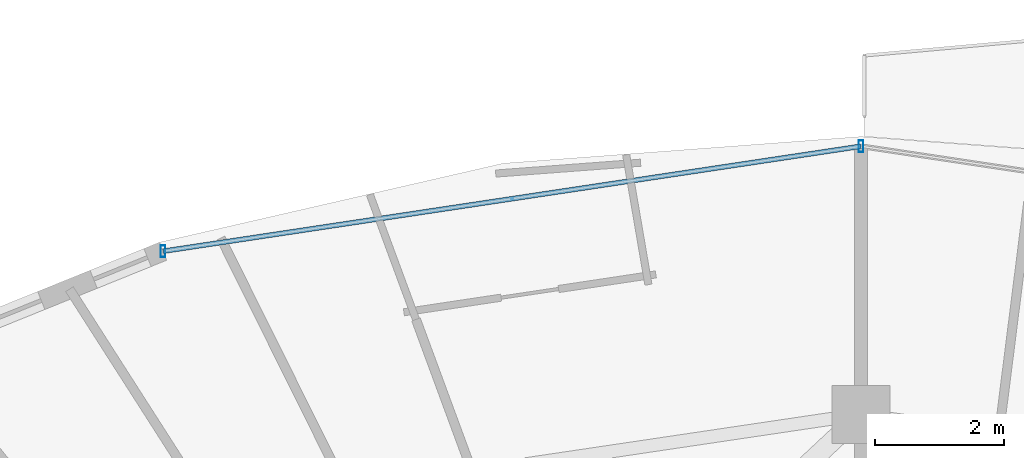
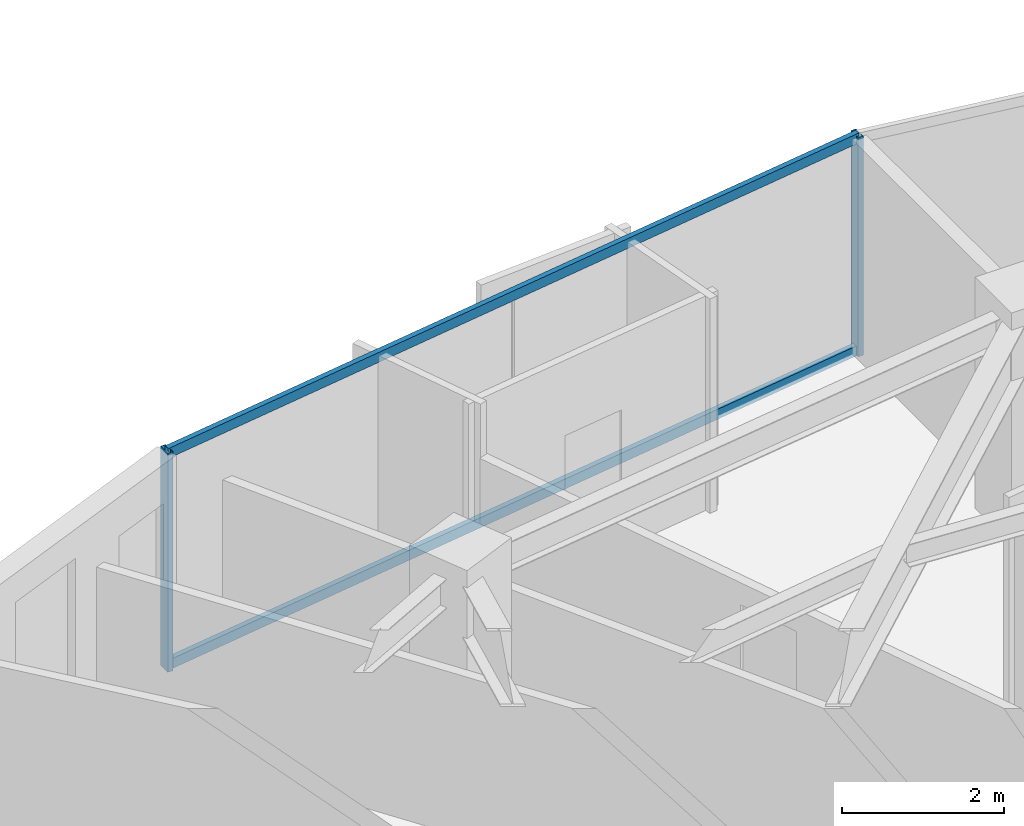
# One storey, part 18 of 33: 4 members, 1 element without a shape of its own.
"""IFC4 building model written with IfcOpenShell, lengths in metres."""

from ifc_helpers import new_model, si_unit, direction, frame, origin, origin_2d, place, context, subcontext, project, spatial, hollow_rectangle, extrude, material, material_profile, profile_set, type_object, element, aggregate, save


model = new_model("IFC4")

# Units and contexts
model_context = context("Model", 3, precision=1e-05, world=origin(), true_north=direction((0.0, 1.0)))
body_context = subcontext(model_context, "Body", "Model", "MODEL_VIEW")
ifc_project = project(units=[si_unit("LENGTHUNIT", "METRE"), si_unit("AREAUNIT", "SQUARE_METRE"), si_unit("VOLUMEUNIT", "CUBIC_METRE"), si_unit("PLANEANGLEUNIT", "RADIAN"), si_unit("MASSUNIT", "GRAM", prefix="KILO")], contexts=[model_context])

# Site, building, storey
site_placement = place(None, origin())
site = spatial("IfcSite", under=ifc_project, at=site_placement, CompositionType="ELEMENT")
building_placement = place(site_placement, origin())
building = spatial("IfcBuilding", under=site, at=building_placement, Name="Vorneva Point Tower", CompositionType="ELEMENT")
storey_placement = place(building_placement, frame((0.0, 0.0, 179.10009765625)))
storey = spatial("IfcBuildingStorey", under=building, at=storey_placement, Name="L48", CompositionType="ELEMENT", Elevation=179.10009765625)

# Curtain wall, members
ifc_material = material(Name="Pale anodised aluminium", Category="aluminium")
curtain_wall_type = type_object("IfcCurtainWallType", Name="CW-RES-SYS", PredefinedType="NOTDEFINED", material=ifc_material)
curtain_wall_placement = place(storey_placement, origin())
curtain_wall = element("IfcCurtainWall", 1, at=curtain_wall_placement, inside=storey, type_object=curtain_wall_type, Name="L48 Unitised Curtain Wall CW-L48-R01", PredefinedType="NOTDEFINED")
ifc_material_profile_1 = material_profile(ifc_material, hollow_rectangle(XDim=0.074951171875, YDim=0.179931640625, WallThickness=0.00390625, at=origin_2d()), Name="AL-MUL 180x75x4")
ifc_profile_set_1 = profile_set([ifc_material_profile_1], Name="Pale anodised aluminium")
member_type_1 = type_object("IfcMemberType", Name="CW-MUL-180", PredefinedType="MULLION", material=ifc_profile_set_1)
member_1_placement = place(storey_placement, frame((38.0, 47.35009765625, -0.0400390625), z_axis=(0.0, 0.0, 1.0), x_axis=(1.0, 0.0, 0.0)))
member_1 = element("IfcMember", 2, at=member_1_placement, type_object=member_type_1, Name="CW-L48-R01 Mullion 04", PredefinedType="MULLION", context=body_context, shape_type="SweptSolid", body=[
    extrude(hollow_rectangle(XDim=0.074951171875, YDim=0.179931640625, WallThickness=0.00390625, at=origin_2d()), origin(), (0.0, 0.0, 1.0), 3.31005859375),
])
member_2_placement = place(storey_placement, frame((27.19677734375, 45.724853515625, -0.0400390625), z_axis=(0.0, 0.0, 1.0), x_axis=(1.0, 0.0, 0.0)))
member_2 = element("IfcMember", 3, at=member_2_placement, type_object=member_type_1, Name="CW-L48-R01 Mullion 05", PredefinedType="MULLION", context=body_context, shape_type="SweptSolid", body=[
    extrude(hollow_rectangle(XDim=0.074951171875, YDim=0.179931640625, WallThickness=0.00390625, at=origin_2d()), origin(), (0.0, 0.0, 1.0), 3.31005859375),
])
ifc_material_profile_2 = material_profile(ifc_material, hollow_rectangle(XDim=0.074951171875, YDim=0.14990234375, WallThickness=0.00390625, at=origin_2d()), Name="AL-TRN 150x75x4")
ifc_profile_set_2 = profile_set([ifc_material_profile_2], Name="Pale anodised aluminium")
member_type_2 = type_object("IfcMemberType", Name="CW-TRN-150", PredefinedType="USERDEFINED", material=ifc_profile_set_2)
member_3_placement = place(storey_placement, frame((38.0, 47.35009765625, 0.02001953125), z_axis=(-0.988872333273, -0.148766624239, 0.0), x_axis=(0.148766624239, -0.988872333273, 0.0)))
member_3 = element("IfcMember", 4, at=member_3_placement, type_object=member_type_2, Name="CW-L48-R01 Transom 04.1", ObjectType="TRANSOM", PredefinedType="USERDEFINED", context=body_context, shape_type="SweptSolid", body=[
    extrude(hollow_rectangle(XDim=0.074951171875, YDim=0.14990234375, WallThickness=0.00390625, at=origin_2d()), origin(), (0.0, 0.0, 1.0), 10.9248046875),
])
member_4_placement = place(storey_placement, frame((38.0, 47.35009765625, 3.219970703125), z_axis=(-0.988872333273, -0.148766624239, 0.0), x_axis=(0.148766624239, -0.988872333273, 0.0)))
member_4 = element("IfcMember", 5, at=member_4_placement, type_object=member_type_2, Name="CW-L48-R01 Transom 04.2", ObjectType="TRANSOM", PredefinedType="USERDEFINED", context=body_context, shape_type="SweptSolid", body=[
    extrude(hollow_rectangle(XDim=0.074951171875, YDim=0.14990234375, WallThickness=0.00390625, at=origin_2d()), origin(), (0.0, 0.0, 1.0), 10.9248046875),
])
aggregate(curtain_wall, [member_1, member_2, member_3, member_4])

save(model, "model.ifc")
